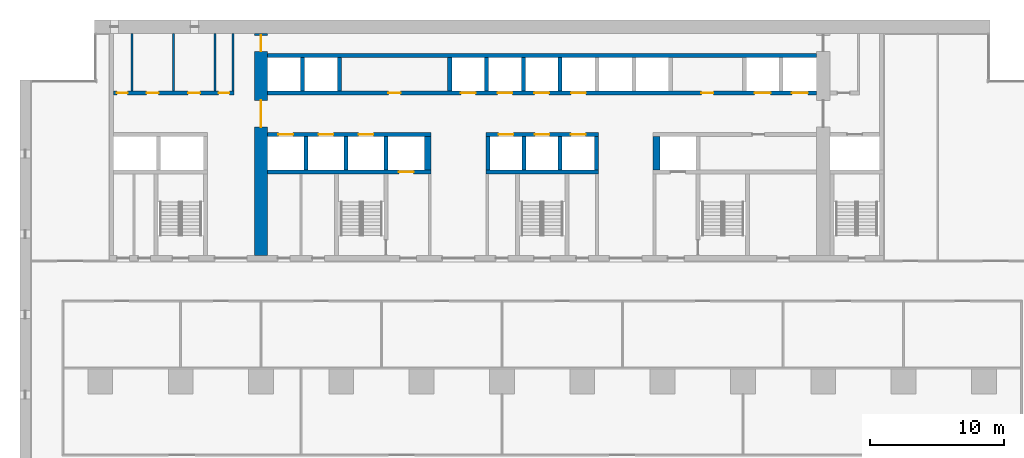
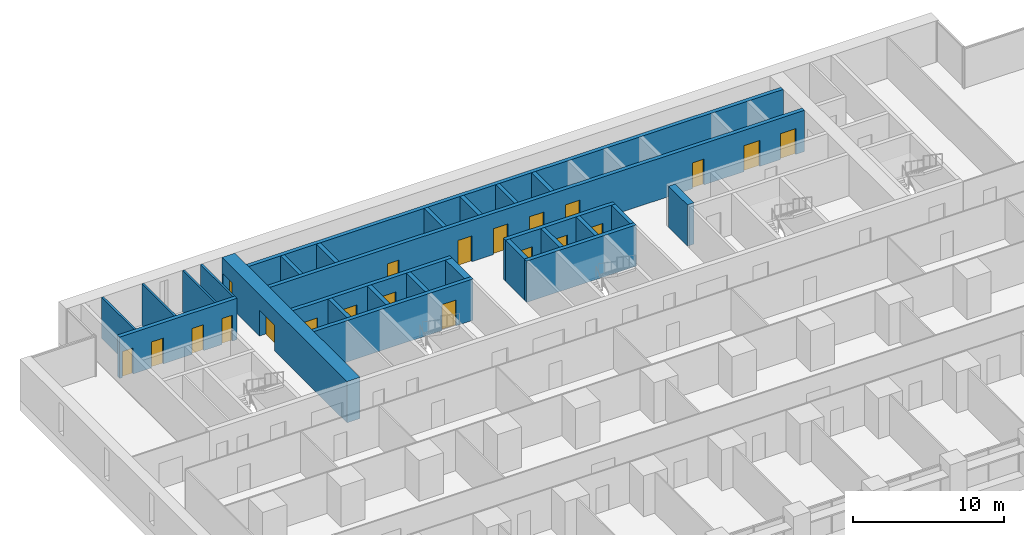
# One storey, part 11 of 18: 27 walls, 21 doors, 21 openings.
"""IFC4 building model written with IfcOpenShell, lengths in metres."""

from ifc_helpers import new_model, si_unit, direction, frame, frame_2d, origin, place, context, subcontext, project, spatial, rectangle, extrude, material, layer, layer_set, type_object, element, fill, save


model = new_model("IFC4")

# Units and contexts
model_context = context("Model", 3, precision=1e-05, world=origin(), true_north=direction((0.0, 1.0)))
body_context = subcontext(model_context, "Body", "Model", "MODEL_VIEW")
ifc_project = project(units=[si_unit("LENGTHUNIT", "METRE"), si_unit("AREAUNIT", "SQUARE_METRE"), si_unit("VOLUMEUNIT", "CUBIC_METRE"), si_unit("PLANEANGLEUNIT", "RADIAN"), si_unit("MASSUNIT", "GRAM", prefix="KILO")], contexts=[model_context])

# Site, building, storey
site_placement = place(None, origin())
site = spatial("IfcSite", under=ifc_project, at=site_placement, CompositionType="ELEMENT")
building_placement = place(site_placement, origin())
building = spatial("IfcBuilding", under=site, at=building_placement, Name="Calvaro Tower", CompositionType="ELEMENT")
storey_placement = place(building_placement, frame((0.0, 0.0, 22.5)))
storey = spatial("IfcBuildingStorey", under=building, at=storey_placement, Name="L04", CompositionType="ELEMENT", Elevation=22.5)

# Walls
ifc_material_1 = material(Name="Blockwork partition", Category="masonry")
ifc_layer_1 = layer(ifc_material_1, 0.14990234375)
ifc_layer_set_1 = layer_set([ifc_layer_1], Name="Blockwork partition")
wall_type_1 = type_object("IfcWallType", Name="Core partition 150 EI 60", PredefinedType="PARTITIONING", material=ifc_layer_set_1)
for number, where, z_axis, x_axis, name in (
    (1, (8.35009765625, 40.699951171875, 0.0), (0.0, 0.0, 1.0), (0.0, 1.0, 0.0), "Core partition"),
    (2, (11.449951171875, 40.699951171875, 0.0), (0.0, 0.0, 1.0), (0.0, 1.0, 0.0), "Core partition"),
    (3, (14.550048828125, 40.699951171875, 0.0), (0.0, 0.0, 1.0), (0.0, 1.0, 0.0), "Core partition"),
):
    element("IfcWall", number, at=place(storey_placement, frame(where, z_axis=z_axis, x_axis=x_axis)), inside=storey, type_object=wall_type_1, Name=name, PredefinedType="PARTITIONING", context=body_context, shape_type="SweptSolid", body=[
        extrude(rectangle(XDim=4.300048828125, YDim=0.14990234375, at=frame_2d((2.14990234375, 0.0))), origin(), (0.0, 0.0, 1.0), 3.35009765625),
    ])
ifc_material_2 = material(Name="Blockwork partition", Category="masonry")
ifc_layer_2 = layer(ifc_material_2, 0.14990234375)
ifc_layer_set_2 = layer_set([ifc_layer_2], Name="Blockwork partition")
wall_type_2 = type_object("IfcWallType", Name="Core partition 150 REI 120", PredefinedType="PARTITIONING", material=ifc_layer_set_2)
wall_1_placement = place(storey_placement, frame((15.925048828125, 40.699951171875, 0.0), z_axis=(0.0, 0.0, 1.0), x_axis=(0.0, 1.0, 0.0)))
element("IfcWall", 4, at=wall_1_placement, inside=storey, type_object=wall_type_2, Name="Core partition", PredefinedType="PARTITIONING", context=body_context, shape_type="SweptSolid", body=[
    extrude(rectangle(XDim=4.300048828125, YDim=0.14990234375, at=frame_2d((2.14990234375, 0.0))), origin(), (0.0, 0.0, 1.0), 3.35009765625),
])

# Wall, openings, doors
ifc_material_3 = material(Name="Blockwork partition", Category="masonry")
ifc_layer_3 = layer(ifc_material_3, 0.300048828125)
ifc_layer_set_3 = layer_set([ifc_layer_3], Name="Blockwork partition")
wall_type_3 = type_object("IfcWallType", Name="Core partition 300 REI 120", PredefinedType="PARTITIONING", material=ifc_layer_set_3)
wall_2_placement = place(storey_placement, frame((7.0, 40.550048828125, 0.0), z_axis=(0.0, 0.0, 1.0), x_axis=(1.0, 0.0, 0.0)))
wall_2 = element("IfcWall", 5, at=wall_2_placement, inside=storey, type_object=wall_type_3, Name="Core partition", PredefinedType="PARTITIONING", context=body_context, shape_type="SweptSolid", body=[
    extrude(rectangle(XDim=9.0, YDim=0.300048828125, at=frame_2d((4.5, 0.0))), origin(), (0.0, 0.0, 1.0), 3.35009765625),
])
opening_1_placement = place(wall_2_placement, frame((0.237548828125, 0.0, 0.0)))
opening_1 = element("IfcOpeningElement", 6, at=opening_1_placement, cuts=wall_2, Name="Opening RD8", PredefinedType="OPENING", context=body_context, shape_type="SweptSolid", body=[
    extrude(rectangle(XDim=0.800048828125, YDim=2.10009765625, at=frame_2d((0.39990234375, 1.050048828125))), frame((0.0, 0.159912109375, 0.0), z_axis=(0.0, -1.0, 0.0), x_axis=(1.0, 0.0, 0.0)), (0.0, 0.0, 1.0), 0.320068359375),
])
opening_2_placement = place(wall_2_placement, frame((2.449951171875, 0.0, 0.0)))
opening_2 = element("IfcOpeningElement", 7, at=opening_2_placement, cuts=wall_2, Name="Opening RD9", PredefinedType="OPENING", context=body_context, shape_type="SweptSolid", body=[
    extrude(rectangle(XDim=0.89990234375, YDim=2.10009765625, at=frame_2d((0.449951171875, 1.050048828125))), frame((0.0, 0.159912109375, 0.0), z_axis=(0.0, -1.0, 0.0), x_axis=(1.0, 0.0, 0.0)), (0.0, 0.0, 1.0), 0.320068359375),
])
opening_3_placement = place(wall_2_placement, frame((5.550048828125, 0.0, 0.0)))
opening_3 = element("IfcOpeningElement", 8, at=opening_3_placement, cuts=wall_2, Name="Opening RD9", PredefinedType="OPENING", context=body_context, shape_type="SweptSolid", body=[
    extrude(rectangle(XDim=0.89990234375, YDim=2.10009765625, at=frame_2d((0.449951171875, 1.050048828125))), frame((0.0, 0.159912109375, 0.0), z_axis=(0.0, -1.0, 0.0), x_axis=(1.0, 0.0, 0.0)), (0.0, 0.0, 1.0), 0.320068359375),
])
opening_4_placement = place(wall_2_placement, frame((7.83740234375, 0.0, 0.0)))
opening_4 = element("IfcOpeningElement", 9, at=opening_4_placement, cuts=wall_2, Name="Opening RD8C", PredefinedType="OPENING", context=body_context, shape_type="SweptSolid", body=[
    extrude(rectangle(XDim=0.800048828125, YDim=2.10009765625, at=frame_2d((0.39990234375, 1.050048828125))), frame((0.0, 0.159912109375, 0.0), z_axis=(0.0, -1.0, 0.0), x_axis=(1.0, 0.0, 0.0)), (0.0, 0.0, 1.0), 0.320068359375),
])
ifc_material_4 = material(Name="Steel door set", Category="steel")
door_type_1 = type_object("IfcDoorType", Name="Room door 800", OperationType="SINGLE_SWING_LEFT", PredefinedType="DOOR", material=ifc_material_4)
door_1_placement = place(opening_1_placement, origin())
door_1 = element("IfcDoor", 10, at=door_1_placement, inside=storey, type_object=door_type_1, Name="Room door", OperationType="SINGLE_SWING_LEFT", OverallHeight=2.10009765625, OverallWidth=0.800048828125, PredefinedType="DOOR", context=body_context, shape_type="SweptSolid", body=[
    extrude(rectangle(XDim=0.800048828125, YDim=2.10009765625, at=frame_2d((0.39990234375, 1.050048828125))), frame((0.0, 0.02490234375, 0.0), z_axis=(0.0, -1.0, 0.0), x_axis=(1.0, 0.0, 0.0)), (0.0, 0.0, 1.0), 0.050048828125),
])
fill(opening_1, door_1)
ifc_material_5 = material(Name="Steel door set", Category="steel")
door_type_2 = type_object("IfcDoorType", Name="Room door 800 FD30", OperationType="SINGLE_SWING_LEFT", PredefinedType="DOOR", material=ifc_material_5)
door_2_placement = place(opening_4_placement, origin())
door_2 = element("IfcDoor", 11, at=door_2_placement, inside=storey, type_object=door_type_2, Name="Room door", OperationType="SINGLE_SWING_RIGHT", OverallHeight=2.10009765625, OverallWidth=0.800048828125, PredefinedType="DOOR", context=body_context, shape_type="SweptSolid", body=[
    extrude(rectangle(XDim=0.800048828125, YDim=2.10009765625, at=frame_2d((0.39990234375, 1.050048828125))), frame((0.0, 0.02490234375, 0.0), z_axis=(0.0, -1.0, 0.0), x_axis=(1.0, 0.0, 0.0)), (0.0, 0.0, 1.0), 0.050048828125),
])
fill(opening_4, door_2)
ifc_material_6 = material(Name="Steel door set", Category="steel")
door_type_3 = type_object("IfcDoorType", Name="Room door 900", OperationType="SINGLE_SWING_LEFT", PredefinedType="DOOR", material=ifc_material_6)
door_3_placement = place(opening_2_placement, origin())
door_3 = element("IfcDoor", 12, at=door_3_placement, inside=storey, type_object=door_type_3, Name="Room door", OperationType="SINGLE_SWING_LEFT", OverallHeight=2.10009765625, OverallWidth=0.89990234375, PredefinedType="DOOR", context=body_context, shape_type="SweptSolid", body=[
    extrude(rectangle(XDim=0.89990234375, YDim=2.10009765625, at=frame_2d((0.449951171875, 1.050048828125))), frame((0.0, 0.02490234375, 0.0), z_axis=(0.0, -1.0, 0.0), x_axis=(1.0, 0.0, 0.0)), (0.0, 0.0, 1.0), 0.050048828125),
])
fill(opening_2, door_3)
door_4_placement = place(opening_3_placement, origin())
door_4 = element("IfcDoor", 13, at=door_4_placement, inside=storey, type_object=door_type_3, Name="Room door", OperationType="SINGLE_SWING_LEFT", OverallHeight=2.10009765625, OverallWidth=0.89990234375, PredefinedType="DOOR", context=body_context, shape_type="SweptSolid", body=[
    extrude(rectangle(XDim=0.89990234375, YDim=2.10009765625, at=frame_2d((0.449951171875, 1.050048828125))), frame((0.0, 0.02490234375, 0.0), z_axis=(0.0, -1.0, 0.0), x_axis=(1.0, 0.0, 0.0)), (0.0, 0.0, 1.0), 0.050048828125),
])
fill(opening_3, door_4)

ifc_material_7 = material(Name="Concrete C80/95", Category="concrete")
ifc_layer_4 = layer(ifc_material_7, 1.0)
ifc_layer_set_4 = layer_set([ifc_layer_4], Name="Concrete C80/95")
wall_type_4 = type_object("IfcWallType", Name="Core wall C80/95 1000", PredefinedType="SHEAR", material=ifc_layer_set_4)
wall_3_placement = place(storey_placement, frame((18.0, 28.39990234375, 0.0), z_axis=(0.0, 0.0, 1.0), x_axis=(0.0, 1.0, 0.0)))
wall_3 = element("IfcWall", 14, at=wall_3_placement, inside=storey, type_object=wall_type_4, Name="Core wall, cross shear wall", PredefinedType="SHEAR", context=body_context, shape_type="SweptSolid", body=[
    extrude(rectangle(XDim=16.60009765625, YDim=1.0, at=frame_2d((8.300048828125, 0.0))), origin(), (0.0, 0.0, 1.0), 3.35009765625),
])
opening_5_placement = place(wall_3_placement, frame((9.60009765625, 0.0, 0.0)))
opening_5 = element("IfcOpeningElement", 15, at=opening_5_placement, cuts=wall_3, Name="Opening DD20D", PredefinedType="OPENING", context=body_context, shape_type="SweptSolid", body=[
    extrude(rectangle(XDim=2.0, YDim=2.10009765625, at=frame_2d((1.0, 1.050048828125))), frame((0.0, 0.510009765625, 0.0), z_axis=(0.0, -1.0, 0.0), x_axis=(1.0, 0.0, 0.0)), (0.0, 0.0, 1.0), 1.02001953125),
])
opening_6_placement = place(wall_3_placement, frame((15.25, 0.0, 0.0)))
opening_6 = element("IfcOpeningElement", 16, at=opening_6_placement, cuts=wall_3, Name="Opening FD12C", PredefinedType="OPENING", context=body_context, shape_type="SweptSolid", body=[
    extrude(rectangle(XDim=1.199951171875, YDim=2.10009765625, at=frame_2d((0.60009765625, 1.050048828125))), frame((0.0, 0.510009765625, 0.0), z_axis=(0.0, -1.0, 0.0), x_axis=(1.0, 0.0, 0.0)), (0.0, 0.0, 1.0), 1.02001953125),
])
ifc_material_8 = material(Name="Steel door set", Category="steel")
door_type_4 = type_object("IfcDoorType", Name="Fire door 1200 FD30", OperationType="SINGLE_SWING_LEFT", PredefinedType="DOOR", material=ifc_material_8)
door_5_placement = place(opening_6_placement, origin())
door_5 = element("IfcDoor", 17, at=door_5_placement, inside=storey, type_object=door_type_4, Name="Fire door", OperationType="SINGLE_SWING_LEFT", OverallHeight=2.10009765625, OverallWidth=1.199951171875, PredefinedType="DOOR", context=body_context, shape_type="SweptSolid", body=[
    extrude(rectangle(XDim=1.199951171875, YDim=2.10009765625, at=frame_2d((0.60009765625, 1.050048828125))), frame((0.0, 0.02490234375, 0.0), z_axis=(0.0, -1.0, 0.0), x_axis=(1.0, 0.0, 0.0)), (0.0, 0.0, 1.0), 0.050048828125),
])
fill(opening_6, door_5)
ifc_material_9 = material(Name="Steel door set", Category="steel")
door_type_5 = type_object("IfcDoorType", Name="Lobby double door 2000 FD30S", OperationType="DOUBLE_DOOR_SINGLE_SWING", PredefinedType="DOOR", material=ifc_material_9)
door_6_placement = place(opening_5_placement, origin())
door_6 = element("IfcDoor", 18, at=door_6_placement, inside=storey, type_object=door_type_5, Name="Lobby double door", OperationType="DOUBLE_DOOR_SINGLE_SWING", OverallHeight=2.10009765625, OverallWidth=2.0, PredefinedType="DOOR", context=body_context, shape_type="SweptSolid", body=[
    extrude(rectangle(XDim=2.0, YDim=2.10009765625, at=frame_2d((1.0, 1.050048828125))), frame((0.0, 0.02490234375, 0.0), z_axis=(0.0, -1.0, 0.0), x_axis=(1.0, 0.0, 0.0)), (0.0, 0.0, 1.0), 0.050048828125),
])
fill(opening_5, door_6)

# Wall, opening, door
ifc_material_10 = material(Name="Concrete C80/95", Category="concrete")
ifc_layer_5 = layer(ifc_material_10, 0.300048828125)
ifc_layer_set_5 = layer_set([ifc_layer_5], Name="Concrete C80/95")
wall_type_5 = type_object("IfcWallType", Name="Core wall C80/95 300", PredefinedType="SHEAR", material=ifc_layer_set_5)
wall_4_placement = place(storey_placement, frame((18.5, 34.64990234375, 0.0), z_axis=(0.0, 0.0, 1.0), x_axis=(1.0, 0.0, 0.0)))
wall_4 = element("IfcWall", 19, at=wall_4_placement, inside=storey, type_object=wall_type_5, Name="Core wall, lift shaft", PredefinedType="SHEAR", context=body_context, shape_type="SweptSolid", body=[
    extrude(rectangle(XDim=12.199951171875, YDim=0.300048828125, at=frame_2d((6.10009765625, 0.0))), origin(), (0.0, 0.0, 1.0), 3.35009765625),
])
opening_7_placement = place(wall_4_placement, frame((9.800048828125, 0.0, 0.0)))
opening_7 = element("IfcOpeningElement", 20, at=opening_7_placement, cuts=wall_4, Name="Opening FF1", PredefinedType="OPENING", context=body_context, shape_type="SweptSolid", body=[
    extrude(rectangle(XDim=1.10009765625, YDim=2.10009765625, at=frame_2d((0.550048828125, 1.050048828125))), frame((0.0, 0.159912109375, 0.0), z_axis=(0.0, -1.0, 0.0), x_axis=(1.0, 0.0, 0.0)), (0.0, 0.0, 1.0), 0.320068359375),
])
ifc_material_11 = material(Name="Stainless steel", Category="steel")
door_type_6 = type_object("IfcDoorType", Name="Landing door 1100 E 60", OperationType="SLIDING_TO_LEFT", PredefinedType="DOOR", material=ifc_material_11)
door_7_placement = place(opening_7_placement, origin())
door_7 = element("IfcDoor", 21, at=door_7_placement, inside=storey, type_object=door_type_6, Name="Landing door FF1", OperationType="SLIDING_TO_LEFT", OverallHeight=2.10009765625, OverallWidth=1.10009765625, PredefinedType="DOOR", context=body_context, shape_type="SweptSolid", body=[
    extrude(rectangle(XDim=1.10009765625, YDim=2.10009765625, at=frame_2d((0.550048828125, 1.050048828125))), frame((0.0, 0.02490234375, 0.0), z_axis=(0.0, -1.0, 0.0), x_axis=(1.0, 0.0, 0.0)), (0.0, 0.0, 1.0), 0.050048828125),
])
fill(opening_7, door_7)

# Wall
wall_5_placement = place(storey_placement, frame((34.800048828125, 34.64990234375, 0.0), z_axis=(0.0, 0.0, 1.0), x_axis=(1.0, 0.0, 0.0)))
element("IfcWall", 22, at=wall_5_placement, inside=storey, type_object=wall_type_5, Name="Core wall, lift shaft", PredefinedType="SHEAR", context=body_context, shape_type="SweptSolid", body=[
    extrude(rectangle(XDim=8.39990234375, YDim=0.300048828125, at=frame_2d((4.199951171875, 0.0))), origin(), (0.0, 0.0, 1.0), 3.35009765625),
])

# Wall, openings, doors
wall_6_placement = place(storey_placement, frame((18.5, 37.449951171875, 0.0), z_axis=(0.0, 0.0, 1.0), x_axis=(1.0, 0.0, 0.0)))
wall_6 = element("IfcWall", 23, at=wall_6_placement, inside=storey, type_object=wall_type_5, Name="Core wall, lift shaft", PredefinedType="SHEAR", context=body_context, shape_type="SweptSolid", body=[
    extrude(rectangle(XDim=12.199951171875, YDim=0.300048828125, at=frame_2d((6.10009765625, 0.0))), origin(), (0.0, 0.0, 1.0), 3.35009765625),
])
opening_8_placement = place(wall_6_placement, frame((0.800048828125, 0.0, 0.0)))
opening_8 = element("IfcOpeningElement", 24, at=opening_8_placement, cuts=wall_6, Name="Opening LR1", PredefinedType="OPENING", context=body_context, shape_type="SweptSolid", body=[
    extrude(rectangle(XDim=1.10009765625, YDim=2.10009765625, at=frame_2d((0.550048828125, 1.050048828125))), frame((0.0, 0.159912109375, 0.0), z_axis=(0.0, -1.0, 0.0), x_axis=(1.0, 0.0, 0.0)), (0.0, 0.0, 1.0), 0.320068359375),
])
opening_9_placement = place(wall_6_placement, frame((3.800048828125, 0.0, 0.0)))
opening_9 = element("IfcOpeningElement", 25, at=opening_9_placement, cuts=wall_6, Name="Opening LR2", PredefinedType="OPENING", context=body_context, shape_type="SweptSolid", body=[
    extrude(rectangle(XDim=1.10009765625, YDim=2.10009765625, at=frame_2d((0.550048828125, 1.050048828125))), frame((0.0, 0.159912109375, 0.0), z_axis=(0.0, -1.0, 0.0), x_axis=(1.0, 0.0, 0.0)), (0.0, 0.0, 1.0), 0.320068359375),
])
opening_10_placement = place(wall_6_placement, frame((6.800048828125, 0.0, 0.0)))
opening_10 = element("IfcOpeningElement", 26, at=opening_10_placement, cuts=wall_6, Name="Opening LR3", PredefinedType="OPENING", context=body_context, shape_type="SweptSolid", body=[
    extrude(rectangle(XDim=1.10009765625, YDim=2.10009765625, at=frame_2d((0.550048828125, 1.050048828125))), frame((0.0, 0.159912109375, 0.0), z_axis=(0.0, -1.0, 0.0), x_axis=(1.0, 0.0, 0.0)), (0.0, 0.0, 1.0), 0.320068359375),
])
door_8_placement = place(opening_8_placement, origin())
door_8 = element("IfcDoor", 27, at=door_8_placement, inside=storey, type_object=door_type_6, Name="Landing door LR1", OperationType="SLIDING_TO_LEFT", OverallHeight=2.10009765625, OverallWidth=1.10009765625, PredefinedType="DOOR", context=body_context, shape_type="SweptSolid", body=[
    extrude(rectangle(XDim=1.10009765625, YDim=2.10009765625, at=frame_2d((0.550048828125, 1.050048828125))), frame((0.0, 0.02490234375, 0.0), z_axis=(0.0, -1.0, 0.0), x_axis=(1.0, 0.0, 0.0)), (0.0, 0.0, 1.0), 0.050048828125),
])
fill(opening_8, door_8)
door_9_placement = place(opening_9_placement, origin())
door_9 = element("IfcDoor", 28, at=door_9_placement, inside=storey, type_object=door_type_6, Name="Landing door LR2", OperationType="SLIDING_TO_LEFT", OverallHeight=2.10009765625, OverallWidth=1.10009765625, PredefinedType="DOOR", context=body_context, shape_type="SweptSolid", body=[
    extrude(rectangle(XDim=1.10009765625, YDim=2.10009765625, at=frame_2d((0.550048828125, 1.050048828125))), frame((0.0, 0.02490234375, 0.0), z_axis=(0.0, -1.0, 0.0), x_axis=(1.0, 0.0, 0.0)), (0.0, 0.0, 1.0), 0.050048828125),
])
fill(opening_9, door_9)
door_10_placement = place(opening_10_placement, origin())
door_10 = element("IfcDoor", 29, at=door_10_placement, inside=storey, type_object=door_type_6, Name="Landing door LR3", OperationType="SLIDING_TO_LEFT", OverallHeight=2.10009765625, OverallWidth=1.10009765625, PredefinedType="DOOR", context=body_context, shape_type="SweptSolid", body=[
    extrude(rectangle(XDim=1.10009765625, YDim=2.10009765625, at=frame_2d((0.550048828125, 1.050048828125))), frame((0.0, 0.02490234375, 0.0), z_axis=(0.0, -1.0, 0.0), x_axis=(1.0, 0.0, 0.0)), (0.0, 0.0, 1.0), 0.050048828125),
])
fill(opening_10, door_10)

wall_7_placement = place(storey_placement, frame((34.800048828125, 37.449951171875, 0.0), z_axis=(0.0, 0.0, 1.0), x_axis=(1.0, 0.0, 0.0)))
wall_7 = element("IfcWall", 30, at=wall_7_placement, inside=storey, type_object=wall_type_5, Name="Core wall, lift shaft", PredefinedType="SHEAR", context=body_context, shape_type="SweptSolid", body=[
    extrude(rectangle(XDim=8.39990234375, YDim=0.300048828125, at=frame_2d((4.199951171875, 0.0))), origin(), (0.0, 0.0, 1.0), 3.35009765625),
])
opening_11_placement = place(wall_7_placement, frame((0.949951171875, 0.0, 0.0)))
opening_11 = element("IfcOpeningElement", 31, at=opening_11_placement, cuts=wall_7, Name="Opening LR4", PredefinedType="OPENING", context=body_context, shape_type="SweptSolid", body=[
    extrude(rectangle(XDim=1.10009765625, YDim=2.10009765625, at=frame_2d((0.550048828125, 1.050048828125))), frame((0.0, 0.159912109375, 0.0), z_axis=(0.0, -1.0, 0.0), x_axis=(1.0, 0.0, 0.0)), (0.0, 0.0, 1.0), 0.320068359375),
])
opening_12_placement = place(wall_7_placement, frame((3.64990234375, 0.0, 0.0)))
opening_12 = element("IfcOpeningElement", 32, at=opening_12_placement, cuts=wall_7, Name="Opening LR5", PredefinedType="OPENING", context=body_context, shape_type="SweptSolid", body=[
    extrude(rectangle(XDim=1.10009765625, YDim=2.10009765625, at=frame_2d((0.550048828125, 1.050048828125))), frame((0.0, 0.159912109375, 0.0), z_axis=(0.0, -1.0, 0.0), x_axis=(1.0, 0.0, 0.0)), (0.0, 0.0, 1.0), 0.320068359375),
])
opening_13_placement = place(wall_7_placement, frame((6.35009765625, 0.0, 0.0)))
opening_13 = element("IfcOpeningElement", 33, at=opening_13_placement, cuts=wall_7, Name="Opening LR6", PredefinedType="OPENING", context=body_context, shape_type="SweptSolid", body=[
    extrude(rectangle(XDim=1.10009765625, YDim=2.10009765625, at=frame_2d((0.550048828125, 1.050048828125))), frame((0.0, 0.159912109375, 0.0), z_axis=(0.0, -1.0, 0.0), x_axis=(1.0, 0.0, 0.0)), (0.0, 0.0, 1.0), 0.320068359375),
])
door_11_placement = place(opening_11_placement, origin())
door_11 = element("IfcDoor", 34, at=door_11_placement, inside=storey, type_object=door_type_6, Name="Landing door LR4", OperationType="SLIDING_TO_LEFT", OverallHeight=2.10009765625, OverallWidth=1.10009765625, PredefinedType="DOOR", context=body_context, shape_type="SweptSolid", body=[
    extrude(rectangle(XDim=1.10009765625, YDim=2.10009765625, at=frame_2d((0.550048828125, 1.050048828125))), frame((0.0, 0.02490234375, 0.0), z_axis=(0.0, -1.0, 0.0), x_axis=(1.0, 0.0, 0.0)), (0.0, 0.0, 1.0), 0.050048828125),
])
fill(opening_11, door_11)
door_12_placement = place(opening_12_placement, origin())
door_12 = element("IfcDoor", 35, at=door_12_placement, inside=storey, type_object=door_type_6, Name="Landing door LR5", OperationType="SLIDING_TO_LEFT", OverallHeight=2.10009765625, OverallWidth=1.10009765625, PredefinedType="DOOR", context=body_context, shape_type="SweptSolid", body=[
    extrude(rectangle(XDim=1.10009765625, YDim=2.10009765625, at=frame_2d((0.550048828125, 1.050048828125))), frame((0.0, 0.02490234375, 0.0), z_axis=(0.0, -1.0, 0.0), x_axis=(1.0, 0.0, 0.0)), (0.0, 0.0, 1.0), 0.050048828125),
])
fill(opening_12, door_12)
door_13_placement = place(opening_13_placement, origin())
door_13 = element("IfcDoor", 36, at=door_13_placement, inside=storey, type_object=door_type_6, Name="Landing door LR6", OperationType="SLIDING_TO_LEFT", OverallHeight=2.10009765625, OverallWidth=1.10009765625, PredefinedType="DOOR", context=body_context, shape_type="SweptSolid", body=[
    extrude(rectangle(XDim=1.10009765625, YDim=2.10009765625, at=frame_2d((0.550048828125, 1.050048828125))), frame((0.0, 0.02490234375, 0.0), z_axis=(0.0, -1.0, 0.0), x_axis=(1.0, 0.0, 0.0)), (0.0, 0.0, 1.0), 0.050048828125),
])
fill(opening_13, door_13)

# Walls
for number, where, z_axis, x_axis, name in (
    (37, (27.35009765625, 34.800048828125, 0.0), (0.0, 0.0, 1.0), (0.0, 1.0, 0.0), "Core wall, lift shaft"),
    (38, (34.949951171875, 34.800048828125, 0.0), (0.0, 0.0, 1.0), (0.0, 1.0, 0.0), "Core wall, lift shaft"),
    (39, (43.050048828125, 34.800048828125, 0.0), (0.0, 0.0, 1.0), (0.0, 1.0, 0.0), "Core wall, lift shaft"),
):
    element("IfcWall", number, at=place(storey_placement, frame(where, z_axis=z_axis, x_axis=x_axis)), inside=storey, type_object=wall_type_5, Name=name, PredefinedType="SHEAR", context=body_context, shape_type="SweptSolid", body=[
        extrude(rectangle(XDim=2.5, YDim=0.300048828125, at=frame_2d((1.25, 0.0))), origin(), (0.0, 0.0, 1.0), 3.35009765625),
    ])

# Wall, openings, doors
wall_8_placement = place(storey_placement, frame((18.5, 40.550048828125, 0.0), z_axis=(0.0, 0.0, 1.0), x_axis=(1.0, 0.0, 0.0)))
wall_8 = element("IfcWall", 40, at=wall_8_placement, inside=storey, type_object=wall_type_5, Name="Core wall, bay", PredefinedType="SHEAR", context=body_context, shape_type="SweptSolid", body=[
    extrude(rectangle(XDim=41.0, YDim=0.300048828125, at=frame_2d((20.5, 0.0))), origin(), (0.0, 0.0, 1.0), 3.35009765625),
])
opening_14_placement = place(wall_8_placement, frame((9.02490234375, 0.0, 0.0)))
opening_14 = element("IfcOpeningElement", 41, at=opening_14_placement, cuts=wall_8, Name="Opening RD9C", PredefinedType="OPENING", context=body_context, shape_type="SweptSolid", body=[
    extrude(rectangle(XDim=0.89990234375, YDim=2.10009765625, at=frame_2d((0.449951171875, 1.050048828125))), frame((0.0, 0.159912109375, 0.0), z_axis=(0.0, -1.0, 0.0), x_axis=(1.0, 0.0, 0.0)), (0.0, 0.0, 1.0), 0.320068359375),
])
opening_15_placement = place(wall_8_placement, frame((32.39990234375, 0.0, 0.0)))
opening_15 = element("IfcOpeningElement", 42, at=opening_15_placement, cuts=wall_8, Name="Opening RD9C", PredefinedType="OPENING", context=body_context, shape_type="SweptSolid", body=[
    extrude(rectangle(XDim=0.89990234375, YDim=2.10009765625, at=frame_2d((0.449951171875, 1.050048828125))), frame((0.0, 0.159912109375, 0.0), z_axis=(0.0, -1.0, 0.0), x_axis=(1.0, 0.0, 0.0)), (0.0, 0.0, 1.0), 0.320068359375),
])
opening_16_placement = place(wall_8_placement, frame((14.425048828125, 0.0, 0.0)))
opening_16 = element("IfcOpeningElement", 43, at=opening_16_placement, cuts=wall_8, Name="Opening LR7", PredefinedType="OPENING", context=body_context, shape_type="SweptSolid", body=[
    extrude(rectangle(XDim=1.10009765625, YDim=2.10009765625, at=frame_2d((0.550048828125, 1.050048828125))), frame((0.0, 0.159912109375, 0.0), z_axis=(0.0, -1.0, 0.0), x_axis=(1.0, 0.0, 0.0)), (0.0, 0.0, 1.0), 0.320068359375),
])
opening_17_placement = place(wall_8_placement, frame((17.175048828125, 0.0, 0.0)))
opening_17 = element("IfcOpeningElement", 44, at=opening_17_placement, cuts=wall_8, Name="Opening LR8", PredefinedType="OPENING", context=body_context, shape_type="SweptSolid", body=[
    extrude(rectangle(XDim=1.10009765625, YDim=2.10009765625, at=frame_2d((0.550048828125, 1.050048828125))), frame((0.0, 0.159912109375, 0.0), z_axis=(0.0, -1.0, 0.0), x_axis=(1.0, 0.0, 0.0)), (0.0, 0.0, 1.0), 0.320068359375),
])
opening_18_placement = place(wall_8_placement, frame((19.925048828125, 0.0, 0.0)))
opening_18 = element("IfcOpeningElement", 45, at=opening_18_placement, cuts=wall_8, Name="Opening LR9", PredefinedType="OPENING", context=body_context, shape_type="SweptSolid", body=[
    extrude(rectangle(XDim=1.10009765625, YDim=2.10009765625, at=frame_2d((0.550048828125, 1.050048828125))), frame((0.0, 0.159912109375, 0.0), z_axis=(0.0, -1.0, 0.0), x_axis=(1.0, 0.0, 0.0)), (0.0, 0.0, 1.0), 0.320068359375),
])
opening_19_placement = place(wall_8_placement, frame((22.675048828125, 0.0, 0.0)))
opening_19 = element("IfcOpeningElement", 46, at=opening_19_placement, cuts=wall_8, Name="Opening LR10", PredefinedType="OPENING", context=body_context, shape_type="SweptSolid", body=[
    extrude(rectangle(XDim=1.10009765625, YDim=2.10009765625, at=frame_2d((0.550048828125, 1.050048828125))), frame((0.0, 0.159912109375, 0.0), z_axis=(0.0, -1.0, 0.0), x_axis=(1.0, 0.0, 0.0)), (0.0, 0.0, 1.0), 0.320068359375),
])
opening_20_placement = place(wall_8_placement, frame((36.375, 0.0, 0.0)))
opening_20 = element("IfcOpeningElement", 47, at=opening_20_placement, cuts=wall_8, Name="Opening SV1", PredefinedType="OPENING", context=body_context, shape_type="SweptSolid", body=[
    extrude(rectangle(XDim=1.199951171875, YDim=2.10009765625, at=frame_2d((0.60009765625, 1.050048828125))), frame((0.0, 0.159912109375, 0.0), z_axis=(0.0, -1.0, 0.0), x_axis=(1.0, 0.0, 0.0)), (0.0, 0.0, 1.0), 0.320068359375),
])
opening_21_placement = place(wall_8_placement, frame((39.14990234375, 0.0, 0.0)))
opening_21 = element("IfcOpeningElement", 48, at=opening_21_placement, cuts=wall_8, Name="Opening SV2", PredefinedType="OPENING", context=body_context, shape_type="SweptSolid", body=[
    extrude(rectangle(XDim=1.199951171875, YDim=2.10009765625, at=frame_2d((0.60009765625, 1.050048828125))), frame((0.0, 0.159912109375, 0.0), z_axis=(0.0, -1.0, 0.0), x_axis=(1.0, 0.0, 0.0)), (0.0, 0.0, 1.0), 0.320068359375),
])
door_14_placement = place(opening_16_placement, origin())
door_14 = element("IfcDoor", 49, at=door_14_placement, inside=storey, type_object=door_type_6, Name="Landing door LR7", OperationType="SLIDING_TO_LEFT", OverallHeight=2.10009765625, OverallWidth=1.10009765625, PredefinedType="DOOR", context=body_context, shape_type="SweptSolid", body=[
    extrude(rectangle(XDim=1.10009765625, YDim=2.10009765625, at=frame_2d((0.550048828125, 1.050048828125))), frame((0.0, 0.02490234375, 0.0), z_axis=(0.0, -1.0, 0.0), x_axis=(1.0, 0.0, 0.0)), (0.0, 0.0, 1.0), 0.050048828125),
])
fill(opening_16, door_14)
door_15_placement = place(opening_17_placement, origin())
door_15 = element("IfcDoor", 50, at=door_15_placement, inside=storey, type_object=door_type_6, Name="Landing door LR8", OperationType="SLIDING_TO_LEFT", OverallHeight=2.10009765625, OverallWidth=1.10009765625, PredefinedType="DOOR", context=body_context, shape_type="SweptSolid", body=[
    extrude(rectangle(XDim=1.10009765625, YDim=2.10009765625, at=frame_2d((0.550048828125, 1.050048828125))), frame((0.0, 0.02490234375, 0.0), z_axis=(0.0, -1.0, 0.0), x_axis=(1.0, 0.0, 0.0)), (0.0, 0.0, 1.0), 0.050048828125),
])
fill(opening_17, door_15)
door_16_placement = place(opening_18_placement, origin())
door_16 = element("IfcDoor", 51, at=door_16_placement, inside=storey, type_object=door_type_6, Name="Landing door LR9", OperationType="SLIDING_TO_LEFT", OverallHeight=2.10009765625, OverallWidth=1.10009765625, PredefinedType="DOOR", context=body_context, shape_type="SweptSolid", body=[
    extrude(rectangle(XDim=1.10009765625, YDim=2.10009765625, at=frame_2d((0.550048828125, 1.050048828125))), frame((0.0, 0.02490234375, 0.0), z_axis=(0.0, -1.0, 0.0), x_axis=(1.0, 0.0, 0.0)), (0.0, 0.0, 1.0), 0.050048828125),
])
fill(opening_18, door_16)
door_17_placement = place(opening_19_placement, origin())
door_17 = element("IfcDoor", 52, at=door_17_placement, inside=storey, type_object=door_type_6, Name="Landing door LR10", OperationType="SLIDING_TO_LEFT", OverallHeight=2.10009765625, OverallWidth=1.10009765625, PredefinedType="DOOR", context=body_context, shape_type="SweptSolid", body=[
    extrude(rectangle(XDim=1.10009765625, YDim=2.10009765625, at=frame_2d((0.550048828125, 1.050048828125))), frame((0.0, 0.02490234375, 0.0), z_axis=(0.0, -1.0, 0.0), x_axis=(1.0, 0.0, 0.0)), (0.0, 0.0, 1.0), 0.050048828125),
])
fill(opening_19, door_17)
ifc_material_12 = material(Name="Stainless steel", Category="steel")
door_type_7 = type_object("IfcDoorType", Name="Landing door 1200 E 60", OperationType="SLIDING_TO_LEFT", PredefinedType="DOOR", material=ifc_material_12)
door_18_placement = place(opening_20_placement, origin())
door_18 = element("IfcDoor", 53, at=door_18_placement, inside=storey, type_object=door_type_7, Name="Landing door SV1", OperationType="SLIDING_TO_LEFT", OverallHeight=2.10009765625, OverallWidth=1.199951171875, PredefinedType="DOOR", context=body_context, shape_type="SweptSolid", body=[
    extrude(rectangle(XDim=1.199951171875, YDim=2.10009765625, at=frame_2d((0.60009765625, 1.050048828125))), frame((0.0, 0.02490234375, 0.0), z_axis=(0.0, -1.0, 0.0), x_axis=(1.0, 0.0, 0.0)), (0.0, 0.0, 1.0), 0.050048828125),
])
fill(opening_20, door_18)
door_19_placement = place(opening_21_placement, origin())
door_19 = element("IfcDoor", 54, at=door_19_placement, inside=storey, type_object=door_type_7, Name="Landing door SV2", OperationType="SLIDING_TO_LEFT", OverallHeight=2.10009765625, OverallWidth=1.199951171875, PredefinedType="DOOR", context=body_context, shape_type="SweptSolid", body=[
    extrude(rectangle(XDim=1.199951171875, YDim=2.10009765625, at=frame_2d((0.60009765625, 1.050048828125))), frame((0.0, 0.02490234375, 0.0), z_axis=(0.0, -1.0, 0.0), x_axis=(1.0, 0.0, 0.0)), (0.0, 0.0, 1.0), 0.050048828125),
])
fill(opening_21, door_19)
ifc_material_13 = material(Name="Steel door set", Category="steel")
door_type_8 = type_object("IfcDoorType", Name="Room door 900 FD30", OperationType="SINGLE_SWING_LEFT", PredefinedType="DOOR", material=ifc_material_13)
door_20_placement = place(opening_14_placement, origin())
door_20 = element("IfcDoor", 55, at=door_20_placement, inside=storey, type_object=door_type_8, Name="Room door", OperationType="SINGLE_SWING_RIGHT", OverallHeight=2.10009765625, OverallWidth=0.89990234375, PredefinedType="DOOR", context=body_context, shape_type="SweptSolid", body=[
    extrude(rectangle(XDim=0.89990234375, YDim=2.10009765625, at=frame_2d((0.449951171875, 1.050048828125))), frame((0.0, 0.02490234375, 0.0), z_axis=(0.0, -1.0, 0.0), x_axis=(1.0, 0.0, 0.0)), (0.0, 0.0, 1.0), 0.050048828125),
])
fill(opening_14, door_20)
door_21_placement = place(opening_15_placement, origin())
door_21 = element("IfcDoor", 56, at=door_21_placement, inside=storey, type_object=door_type_8, Name="Room door", OperationType="SINGLE_SWING_LEFT", OverallHeight=2.10009765625, OverallWidth=0.89990234375, PredefinedType="DOOR", context=body_context, shape_type="SweptSolid", body=[
    extrude(rectangle(XDim=0.89990234375, YDim=2.10009765625, at=frame_2d((0.449951171875, 1.050048828125))), frame((0.0, 0.02490234375, 0.0), z_axis=(0.0, -1.0, 0.0), x_axis=(1.0, 0.0, 0.0)), (0.0, 0.0, 1.0), 0.050048828125),
])
fill(opening_15, door_21)

# Walls
wall_9_placement = place(storey_placement, frame((18.5, 43.35009765625, 0.0), z_axis=(0.0, 0.0, 1.0), x_axis=(1.0, 0.0, 0.0)))
element("IfcWall", 57, at=wall_9_placement, inside=storey, type_object=wall_type_5, Name="Core wall, lift shaft", PredefinedType="SHEAR", context=body_context, shape_type="SweptSolid", body=[
    extrude(rectangle(XDim=41.0, YDim=0.300048828125, at=frame_2d((20.5, 0.0))), origin(), (0.0, 0.0, 1.0), 3.35009765625),
])
for number, where, z_axis, x_axis, name in (
    (58, (21.35009765625, 34.800048828125, 0.0), (0.0, 0.0, 1.0), (0.0, 1.0, 0.0), "Core wall, lift shaft"),
    (59, (24.35009765625, 34.800048828125, 0.0), (0.0, 0.0, 1.0), (0.0, 1.0, 0.0), "Core wall, lift shaft"),
    (60, (37.64990234375, 34.800048828125, 0.0), (0.0, 0.0, 1.0), (0.0, 1.0, 0.0), "Core wall, lift shaft"),
    (61, (40.35009765625, 34.800048828125, 0.0), (0.0, 0.0, 1.0), (0.0, 1.0, 0.0), "Core wall, lift shaft"),
    (62, (21.10009765625, 40.699951171875, 0.0), (0.0, 0.0, 1.0), (0.0, 1.0, 0.0), "Core wall, lift shaft"),
    (63, (23.85009765625, 40.699951171875, 0.0), (0.0, 0.0, 1.0), (0.0, 1.0, 0.0), "Core wall, lift shaft"),
    (64, (32.10009765625, 40.699951171875, 0.0), (0.0, 0.0, 1.0), (0.0, 1.0, 0.0), "Core wall, lift shaft"),
    (65, (34.85009765625, 40.699951171875, 0.0), (0.0, 0.0, 1.0), (0.0, 1.0, 0.0), "Core wall, lift shaft"),
    (66, (37.60009765625, 40.699951171875, 0.0), (0.0, 0.0, 1.0), (0.0, 1.0, 0.0), "Core wall, lift shaft"),
    (67, (40.35009765625, 40.699951171875, 0.0), (0.0, 0.0, 1.0), (0.0, 1.0, 0.0), "Core wall, lift shaft"),
):
    element("IfcWall", number, at=place(storey_placement, frame(where, z_axis=z_axis, x_axis=x_axis)), inside=storey, type_object=wall_type_5, Name=name, PredefinedType="SHEAR", context=body_context, shape_type="SweptSolid", body=[
        extrude(rectangle(XDim=2.5, YDim=0.300048828125, at=frame_2d((1.25, 0.0))), origin(), (0.0, 0.0, 1.0), 3.35009765625),
    ])
ifc_material_14 = material(Name="Concrete C80/95", Category="concrete")
ifc_layer_6 = layer(ifc_material_14, 0.5)
ifc_layer_set_6 = layer_set([ifc_layer_6], Name="Concrete C80/95")
wall_type_6 = type_object("IfcWallType", Name="Core wall C80/95 500", PredefinedType="SHEAR", material=ifc_layer_set_6)
for number, where, z_axis, x_axis, name in (
    (68, (30.449951171875, 34.800048828125, 0.0), (0.0, 0.0, 1.0), (0.0, 1.0, 0.0), "Core wall, lift shaft"),
    (69, (47.550048828125, 34.800048828125, 0.0), (0.0, 0.0, 1.0), (0.0, 1.0, 0.0), "Core wall, lift shaft"),
):
    element("IfcWall", number, at=place(storey_placement, frame(where, z_axis=z_axis, x_axis=x_axis)), inside=storey, type_object=wall_type_6, Name=name, PredefinedType="SHEAR", context=body_context, shape_type="SweptSolid", body=[
        extrude(rectangle(XDim=2.5, YDim=0.5, at=frame_2d((1.25, 0.0))), origin(), (0.0, 0.0, 1.0), 3.35009765625),
    ])

save(model, "model.ifc")
